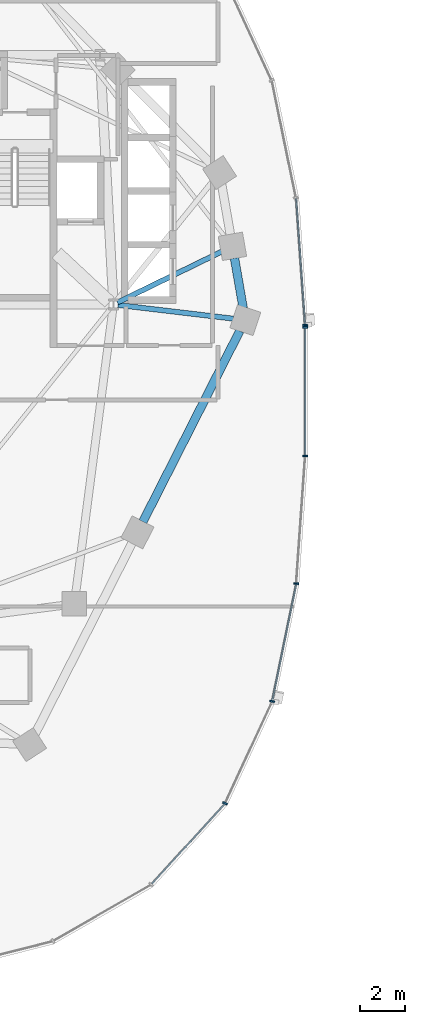
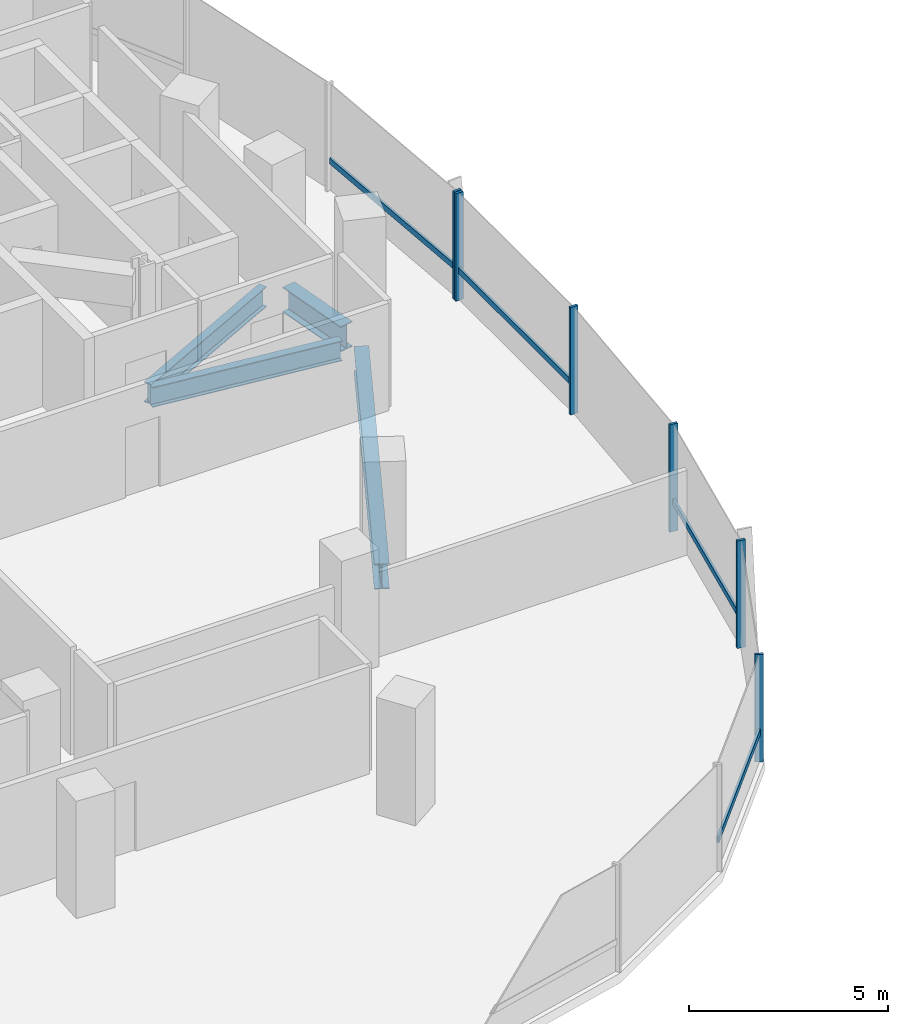
# One storey, part 3 of 21: 10 members, 4 beams, 2 elements without a shape of their own.
"""IFC4 building model written with IfcOpenShell, lengths in metres."""

from ifc_helpers import new_model, si_unit, direction, frame, origin, origin_2d, place, context, subcontext, project, spatial, rectangle, i_section, extrude, material, material_profile, profile_set, type_object, element, aggregate, save


model = new_model("IFC4")

# Units and contexts
model_context = context("Model", 3, precision=1e-05, world=origin(), true_north=direction((0.0, 1.0)))
body_context = subcontext(model_context, "Body", "Model", "MODEL_VIEW")
ifc_project = project(units=[si_unit("LENGTHUNIT", "METRE"), si_unit("AREAUNIT", "SQUARE_METRE"), si_unit("VOLUMEUNIT", "CUBIC_METRE"), si_unit("PLANEANGLEUNIT", "RADIAN"), si_unit("MASSUNIT", "GRAM", prefix="KILO"), si_unit("THERMODYNAMICTEMPERATUREUNIT", "KELVIN"), si_unit("POWERUNIT", "WATT")], contexts=[model_context])

# Site, building, storey
site_placement = place(None, origin())
site = spatial("IfcSite", under=ifc_project, at=site_placement, CompositionType="ELEMENT")
building_placement = place(site_placement, origin())
building = spatial("IfcBuilding", under=site, at=building_placement, Name="Cundina Bronze Exchange", CompositionType="ELEMENT")
storey_placement = place(building_placement, frame((0.0, 0.0, 96.199951171875)))
storey = spatial("IfcBuildingStorey", under=building, at=storey_placement, Name="L24", CompositionType="ELEMENT", Elevation=96.199951171875)

# Beams
ifc_material_1 = material(Name="Steel ASTM A992 Grade 50", Category="steel")
ifc_material_profile_1 = material_profile(ifc_material_1, i_section(OverallWidth=0.22998046875, OverallDepth=0.616943359375, WebThickness=0.01318359375, FlangeThickness=0.022216796875, FilletRadius=0.013916015625, at=origin_2d()), Name="W24X94", Category="steel")
ifc_profile_set_1 = profile_set([ifc_material_profile_1], Name="Steel ASTM A992 Grade 50")
beam_type_1 = type_object("IfcBeamType", Name="BM-FLR-W24B", PredefinedType="BEAM", material=ifc_profile_set_1)
beam_1_placement = place(storey_placement, frame((-21.247314453125, 3.8759765625, -0.6083984375), z_axis=(0.993035701683, -0.117813815752, 0.0), x_axis=(0.117813815752, 0.993035701683, 0.0)))
element("IfcBeam", 1, at=beam_1_placement, inside=storey, type_object=beam_type_1, Name="L24 Leg W Radial Floor Beam 00", PredefinedType="BEAM", context=body_context, shape_type="SweptSolid", body=[
    extrude(i_section(OverallWidth=0.22998046875, OverallDepth=0.616943359375, WebThickness=0.01318359375, FlangeThickness=0.022216796875, FilletRadius=0.013916015625, at=origin_2d()), origin(), (0.0, 0.0, 1.0), 5.19921875),
])
beam_2_placement = place(storey_placement, frame((-21.2666015625, 3.989501953125, -0.6083984375), z_axis=(0.898607246385, 0.438753936443, 0.0), x_axis=(-0.438753936443, 0.898607246385, 0.0)))
element("IfcBeam", 2, at=beam_2_placement, inside=storey, type_object=beam_type_1, Name="L24 Leg W Radial Floor Beam 01", PredefinedType="BEAM", context=body_context, shape_type="SweptSolid", body=[
    extrude(i_section(OverallWidth=0.22998046875, OverallDepth=0.616943359375, WebThickness=0.01318359375, FlangeThickness=0.022216796875, FilletRadius=0.013916015625, at=origin_2d()), origin(), (0.0, 0.0, 1.0), 5.183837890625),
])
ifc_material_profile_2 = material_profile(ifc_material_1, i_section(OverallWidth=0.381103515625, OverallDepth=0.77294921875, WebThickness=0.0166015625, FlangeThickness=0.027099609375, FilletRadius=0.01904296875, at=origin_2d()), Name="W30X173", Category="steel")
ifc_profile_set_2 = profile_set([ifc_material_profile_2], Name="Steel ASTM A992 Grade 50")
beam_type_2 = type_object("IfcBeamType", Name="BM-RING-W30", PredefinedType="USERDEFINED", material=ifc_profile_set_2)
beam_3_placement = place(storey_placement, frame((-15.642333984375, 3.72998046875, -0.6865234375), z_axis=(-0.171690078326, 0.985151012284, 0.0), x_axis=(-0.985151012284, -0.171690078326, 0.0)))
element("IfcBeam", 3, at=beam_3_placement, inside=storey, type_object=beam_type_2, Name="L24 W Perimeter Ring Girder 00", ObjectType="GIRDER", PredefinedType="USERDEFINED", context=body_context, shape_type="SweptSolid", body=[
    extrude(i_section(OverallWidth=0.381103515625, OverallDepth=0.77294921875, WebThickness=0.0166015625, FlangeThickness=0.027099609375, FilletRadius=0.01904296875, at=origin_2d()), origin(), (0.0, 0.0, 1.0), 2.273681640625),
])
beam_4_placement = place(storey_placement, frame((-20.13134765625, -5.8203125, -0.6865234375), z_axis=(0.452832332744, 0.891595692241, 0.0), x_axis=(-0.891595692241, 0.452832332744, 0.0)))
element("IfcBeam", 4, at=beam_4_placement, inside=storey, type_object=beam_type_2, Name="L24 W Perimeter Ring Girder 13", ObjectType="GIRDER", PredefinedType="USERDEFINED", context=body_context, shape_type="SweptSolid", body=[
    extrude(i_section(OverallWidth=0.381103515625, OverallDepth=0.77294921875, WebThickness=0.0166015625, FlangeThickness=0.027099609375, FilletRadius=0.01904296875, at=origin_2d()), origin(), (0.0, 0.0, 1.0), 9.578857421875),
])

# Curtain wall, member
ifc_material_2 = material(Name="Anodised Bronze Aluminium 6063-T6", Category="aluminium")
curtain_wall_type = type_object("IfcCurtainWallType", Name="CWS-TRD-MID", PredefinedType="NOTDEFINED", material=ifc_material_2)
curtain_wall_1_placement = place(storey_placement, origin())
curtain_wall_1 = element("IfcCurtainWall", 5, at=curtain_wall_1_placement, inside=storey, type_object=curtain_wall_type, Name="L24 CW-03 Curtain Wall Run CWR-L24-W1", PredefinedType="NOTDEFINED")
ifc_material_profile_3 = material_profile(ifc_material_2, rectangle(XDim=0.074951171875, YDim=0.219970703125, at=origin_2d()), Name="AL75X220", Category="aluminium")
ifc_profile_set_3 = profile_set([ifc_material_profile_3], Name="Anodised Bronze Aluminium 6063-T6")
member_type_1 = type_object("IfcMemberType", Name="CWM-MUL-220", PredefinedType="MULLION", material=ifc_profile_set_3)
member_1_placement = place(storey_placement, frame((-12.87548828125, 2.976318359375, 0.0), z_axis=(0.0, 0.0, 1.0), x_axis=(-0.070278787473, 0.997527389113, 0.0)))
member_1 = element("IfcMember", 6, at=member_1_placement, type_object=member_type_1, Name="CW-03 Mullion 1", PredefinedType="MULLION", context=body_context, shape_type="SweptSolid", body=[
    extrude(rectangle(XDim=0.074951171875, YDim=0.219970703125, at=origin_2d()), origin(), (0.0, 0.0, 1.0), 3.300048828125),
])

# Curtain wall, members
curtain_wall_2_placement = place(storey_placement, origin())
curtain_wall_2 = element("IfcCurtainWall", 7, at=curtain_wall_2_placement, inside=storey, type_object=curtain_wall_type, Name="L24 CW-03 Curtain Wall Run CWR-L24-W4", PredefinedType="NOTDEFINED")
member_2_placement = place(storey_placement, frame((-16.455810546875, -18.423583984375, 0.0), z_axis=(0.0, 0.0, 1.0), x_axis=(0.42087749791, 0.907117485088, 0.0)))
member_2 = element("IfcMember", 8, at=member_2_placement, type_object=member_type_1, Name="CW-03 Mullion 4", PredefinedType="MULLION", context=body_context, shape_type="SweptSolid", body=[
    extrude(rectangle(XDim=0.074951171875, YDim=0.219970703125, at=origin_2d()), origin(), (0.0, 0.0, 1.0), 3.300048828125),
])
member_3_placement = place(storey_placement, frame((-14.348876953125, -13.861328125, 0.0), z_axis=(0.0, 0.0, 1.0), x_axis=(0.201419845156, 0.979505000486, 0.0)))
member_3 = element("IfcMember", 9, at=member_3_placement, type_object=member_type_1, Name="CW-03 Mullion 5", PredefinedType="MULLION", context=body_context, shape_type="SweptSolid", body=[
    extrude(rectangle(XDim=0.074951171875, YDim=0.219970703125, at=origin_2d()), origin(), (0.0, 0.0, 1.0), 3.300048828125),
])
member_4_placement = place(storey_placement, frame((-13.27099609375, -8.591552734375, 0.0), z_axis=(0.0, 0.0, 1.0), x_axis=(0.070278787473, 0.997527389113, 0.0)))
member_4 = element("IfcMember", 10, at=member_4_placement, type_object=member_type_1, Name="CW-03 Mullion 6", PredefinedType="MULLION", context=body_context, shape_type="SweptSolid", body=[
    extrude(rectangle(XDim=0.074951171875, YDim=0.219970703125, at=origin_2d()), origin(), (0.0, 0.0, 1.0), 3.300048828125),
])
member_5_placement = place(storey_placement, frame((-12.8720703125, -2.880615234375, 0.0), z_axis=(0.0, 0.0, 1.0), x_axis=(0.0, 1.0, 0.0)))
member_5 = element("IfcMember", 11, at=member_5_placement, type_object=member_type_1, Name="CW-03 Mullion 7", PredefinedType="MULLION", context=body_context, shape_type="SweptSolid", body=[
    extrude(rectangle(XDim=0.074951171875, YDim=0.219970703125, at=origin_2d()), origin(), (0.0, 0.0, 1.0), 3.300048828125),
])
member_6_placement = place(storey_placement, frame((-12.8720703125, 2.880615234375, 0.0), z_axis=(0.0, 0.0, 1.0), x_axis=(0.0, 1.0, 0.0)))
member_6 = element("IfcMember", 12, at=member_6_placement, type_object=member_type_1, Name="CW-03 End Mullion", PredefinedType="MULLION", context=body_context, shape_type="SweptSolid", body=[
    extrude(rectangle(XDim=0.074951171875, YDim=0.219970703125, at=origin_2d()), origin(), (0.0, 0.0, 1.0), 3.300048828125),
])

# Member
ifc_material_profile_4 = material_profile(ifc_material_2, rectangle(XDim=0.070068359375, YDim=0.179931640625, at=origin_2d()), Name="AL70X180", Category="aluminium")
ifc_profile_set_4 = profile_set([ifc_material_profile_4], Name="Anodised Bronze Aluminium 6063-T6")
member_type_2 = type_object("IfcMemberType", Name="CWM-TRN-180", PredefinedType="USERDEFINED", material=ifc_profile_set_4)
member_7_placement = place(storey_placement, frame((-12.87841796875, 3.017333984375, 0.920166015625), z_axis=(-0.070260714471, 0.997528662246, 0.0), x_axis=(-0.997528662246, -0.070260714471, 0.0)))
member_7 = element("IfcMember", 13, at=member_7_placement, type_object=member_type_2, Name="CW-03 Spandrel Transom 1", ObjectType="TRANSOM", PredefinedType="USERDEFINED", context=body_context, shape_type="SweptSolid", body=[
    extrude(rectangle(XDim=0.070068359375, YDim=0.179931640625, at=origin_2d()), origin(), (0.0, 0.0, 1.0), 5.629150390625),
])

aggregate(curtain_wall_1, [member_1, member_7])

member_8_placement = place(storey_placement, frame((-19.73291015625, -22.027099609375, 0.920166015625), z_axis=(0.674302794847, 0.738454968743, 0.0), x_axis=(-0.738454968743, 0.674302794847, 0.0)))
member_8 = element("IfcMember", 14, at=member_8_placement, type_object=member_type_2, Name="CW-03 Spandrel Transom 3", ObjectType="TRANSOM", PredefinedType="USERDEFINED", context=body_context, shape_type="SweptSolid", body=[
    extrude(rectangle(XDim=0.070068359375, YDim=0.179931640625, at=origin_2d()), origin(), (0.0, 0.0, 1.0), 4.848388671875),
])

member_9_placement = place(storey_placement, frame((-14.340576171875, -13.821044921875, 0.920166015625), z_axis=(0.201427712708, 0.979503382615, 0.0), x_axis=(-0.979503382615, 0.201427712708, 0.0)))
member_9 = element("IfcMember", 15, at=member_9_placement, type_object=member_type_2, Name="CW-03 Spandrel Transom 5", ObjectType="TRANSOM", PredefinedType="USERDEFINED", context=body_context, shape_type="SweptSolid", body=[
    extrude(rectangle(XDim=0.070068359375, YDim=0.179931640625, at=origin_2d()), origin(), (0.0, 0.0, 1.0), 5.291748046875),
])

member_10_placement = place(storey_placement, frame((-12.8720703125, -2.839111328125, 0.920166015625), z_axis=(0.0, 1.0, 0.0), x_axis=(-1.0, 0.0, 0.0)))
member_10 = element("IfcMember", 16, at=member_10_placement, type_object=member_type_2, Name="CW-03 Spandrel Transom 7", ObjectType="TRANSOM", PredefinedType="USERDEFINED", context=body_context, shape_type="SweptSolid", body=[
    extrude(rectangle(XDim=0.070068359375, YDim=0.179931640625, at=origin_2d()), origin(), (0.0, 0.0, 1.0), 5.67822265625),
])

aggregate(curtain_wall_2, [member_8, member_2, member_3, member_9, member_4, member_5, member_6, member_10])

save(model, "model.ifc")
